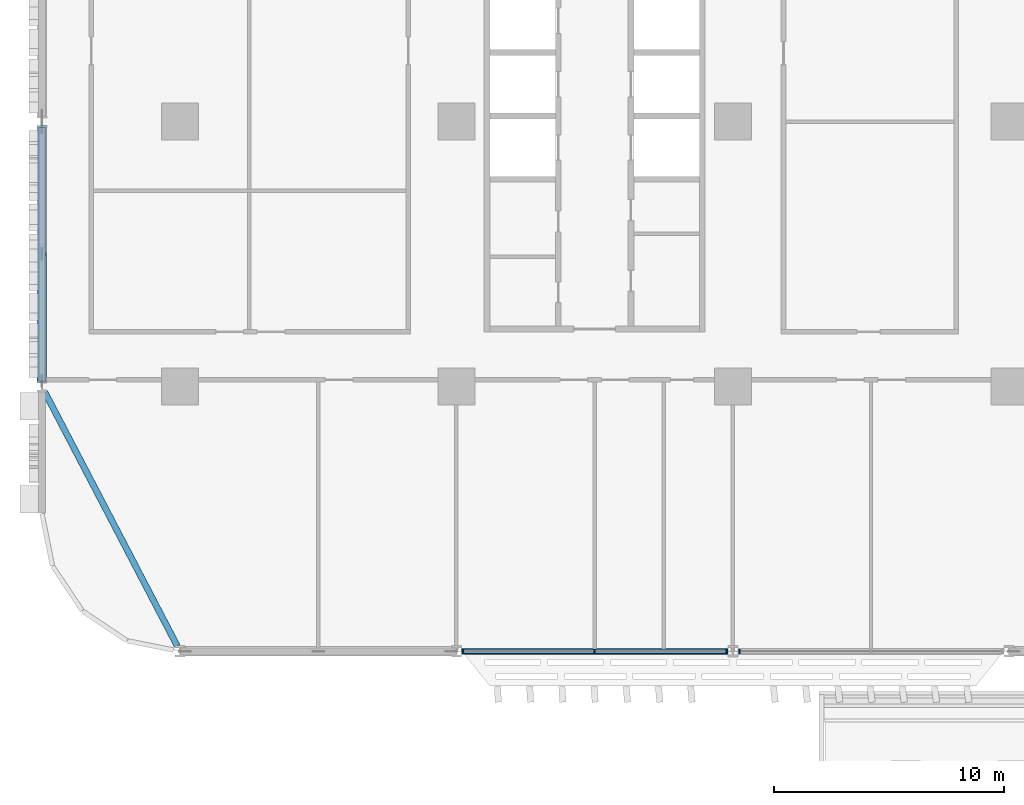
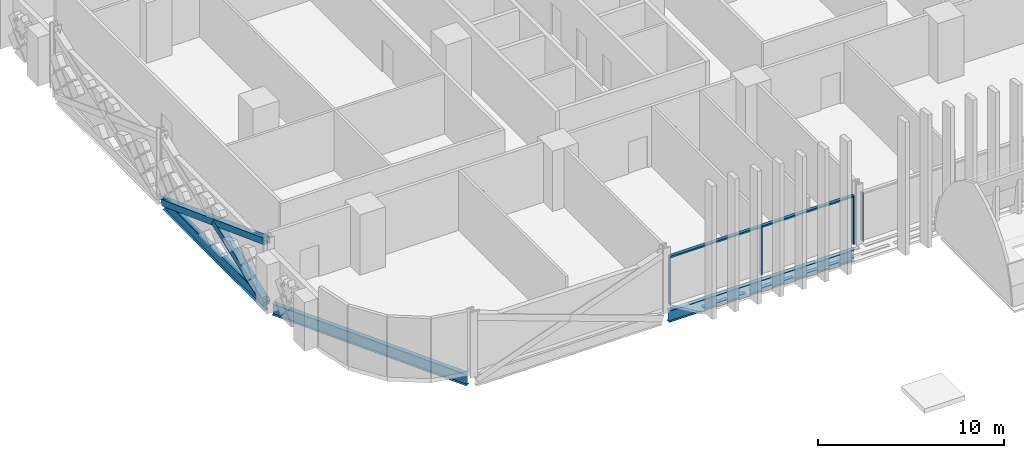
# One storey, part 2 of 31: 8 members, 3 beams, 2 elements without a shape of their own.
"""IFC4 building model written with IfcOpenShell, lengths in metres."""

from ifc_helpers import new_model, si_unit, direction, frame, origin, origin_2d, place, context, subcontext, project, spatial, rectangle, hollow_rectangle, i_section, extrude, material, material_profile, profile_set, type_object, element, aggregate, save


model = new_model("IFC4")

# Units and contexts
model_context = context("Model", 3, precision=1e-05, world=origin(), true_north=direction((0.0, 1.0)))
body_context = subcontext(model_context, "Body", "Model", "MODEL_VIEW")
ifc_project = project(units=[si_unit("LENGTHUNIT", "METRE"), si_unit("AREAUNIT", "SQUARE_METRE"), si_unit("VOLUMEUNIT", "CUBIC_METRE"), si_unit("PLANEANGLEUNIT", "RADIAN"), si_unit("MASSUNIT", "GRAM", prefix="KILO")], contexts=[model_context])

# Site, building, storey
site_placement = place(None, origin())
site = spatial("IfcSite", under=ifc_project, at=site_placement, CompositionType="ELEMENT")
building_placement = place(site_placement, origin())
building = spatial("IfcBuilding", under=site, at=building_placement, Name="Mahtab Terrace Research Tower", CompositionType="ELEMENT")
storey_placement = place(building_placement, frame((0.0, 0.0, 11.5)))
storey = spatial("IfcBuildingStorey", under=building, at=storey_placement, Name="L02", CompositionType="ELEMENT", Elevation=11.5)

# Members
ifc_material_1 = material(Name="Steel ASTM A500 Gr C", Category="steel")
ifc_material_profile_1 = material_profile(ifc_material_1, hollow_rectangle(XDim=0.406494140625, YDim=0.406494140625, WallThickness=0.01904296875, at=origin_2d()), Name="HSS16X16X3/4")
ifc_profile_set_1 = profile_set([ifc_material_profile_1], Name="Steel ASTM A500 Gr C")
member_type_1 = type_object("IfcMemberType", Name="HSS 16x16x3/4 brace XB161634", PredefinedType="BRACE", material=ifc_profile_set_1)
member_1_placement = place(storey_placement, frame((-48.0, -0.248779296875, -0.62548828125), z_axis=(0.0, -0.936661873217, 0.350234971499), x_axis=(1.0, 0.0, 0.0)))
element("IfcMember", 1, at=member_1_placement, inside=storey, type_object=member_type_1, Name="Exoskeleton brace L02 10 a", PredefinedType="BRACE", context=body_context, shape_type="SweptSolid", body=[
    extrude(hollow_rectangle(XDim=0.406494140625, YDim=0.406494140625, WallThickness=0.01904296875, at=origin_2d()), origin(), (0.0, 0.0, 1.0), 11.746337890625),
])
member_2_placement = place(storey_placement, frame((-48.0, -11.251220703125, -0.62548828125), z_axis=(0.0, 0.936655054788, 0.350253206038), x_axis=(-1.0, 0.0, 0.0)))
element("IfcMember", 2, at=member_2_placement, inside=storey, type_object=member_type_1, Name="Exoskeleton brace L02 10 b1", PredefinedType="BRACE", context=body_context, shape_type="SweptSolid", body=[
    extrude(hollow_rectangle(XDim=0.406494140625, YDim=0.406494140625, WallThickness=0.01904296875, at=origin_2d()), origin(), (0.0, 0.0, 1.0), 5.873291015625),
])

# Curtain wall, members
ifc_material_2 = material(Name="Laboratory ribbon curtain wall")
curtain_wall_type = type_object("IfcCurtainWallType", Name="Laboratory ribbon curtain wall", PredefinedType="NOTDEFINED", material=ifc_material_2)
curtain_wall_1_placement = place(storey_placement, origin())
curtain_wall_1 = element("IfcCurtainWall", 3, at=curtain_wall_1_placement, inside=storey, type_object=curtain_wall_type, Name="EN.L02.13.23", PredefinedType="NOTDEFINED")
ifc_material_3 = material(Name="Natural anodised aluminium", Category="aluminium")
ifc_material_profile_2 = material_profile(ifc_material_3, rectangle(XDim=0.199951171875, YDim=0.06494140625, at=origin_2d()), Name="MULLION 65x200")
ifc_profile_set_2 = profile_set([ifc_material_profile_2], Name="Natural anodised aluminium")
member_type_2 = type_object("IfcMemberType", Name="Laboratory ribbon curtain wall mullion", PredefinedType="MULLION", material=ifc_profile_set_2)
member_3_placement = place(storey_placement, frame((-29.718505859375, -23.0, 0.0), z_axis=(0.0, 0.0, 1.0), x_axis=(0.0, 1.0, 0.0)))
member_3 = element("IfcMember", 4, at=member_3_placement, type_object=member_type_2, Name="CWL-1 mullion 1", PredefinedType="MULLION", context=body_context, shape_type="SweptSolid", body=[
    extrude(rectangle(XDim=0.199951171875, YDim=0.06494140625, at=origin_2d()), origin(), (0.0, 0.0, 1.0), 3.203125),
])
member_4_placement = place(storey_placement, frame((-24.0, -23.0, 0.0), z_axis=(0.0, 0.0, 1.0), x_axis=(0.0, 1.0, 0.0)))
member_4 = element("IfcMember", 5, at=member_4_placement, type_object=member_type_2, Name="CWL-1 mullion 2", PredefinedType="MULLION", context=body_context, shape_type="SweptSolid", body=[
    extrude(rectangle(XDim=0.199951171875, YDim=0.06494140625, at=origin_2d()), origin(), (0.0, 0.0, 1.0), 3.203125),
])
member_5_placement = place(storey_placement, frame((-18.281494140625, -23.0, 0.0), z_axis=(0.0, 0.0, 1.0), x_axis=(0.0, 1.0, 0.0)))
member_5 = element("IfcMember", 6, at=member_5_placement, type_object=member_type_2, Name="CWL-1 mullion 3", PredefinedType="MULLION", context=body_context, shape_type="SweptSolid", body=[
    extrude(rectangle(XDim=0.199951171875, YDim=0.06494140625, at=origin_2d()), origin(), (0.0, 0.0, 1.0), 3.203125),
])

# Curtain wall, member
curtain_wall_2_placement = place(storey_placement, origin())
curtain_wall_2 = element("IfcCurtainWall", 7, at=curtain_wall_2_placement, inside=storey, type_object=curtain_wall_type, Name="EN.L02.13.24", PredefinedType="NOTDEFINED")
member_6_placement = place(storey_placement, frame((-17.718505859375, -23.0, 0.0), z_axis=(0.0, 0.0, 1.0), x_axis=(0.0, 1.0, 0.0)))
member_6 = element("IfcMember", 8, at=member_6_placement, type_object=member_type_2, Name="CWL-1 mullion 1", PredefinedType="MULLION", context=body_context, shape_type="SweptSolid", body=[
    extrude(rectangle(XDim=0.199951171875, YDim=0.06494140625, at=origin_2d()), origin(), (0.0, 0.0, 1.0), 3.203125),
])
aggregate(curtain_wall_2, [member_6])

# Member
ifc_material_profile_3 = material_profile(ifc_material_3, rectangle(XDim=0.199951171875, YDim=0.10009765625, at=origin_2d()), Name="TRANSOM 100x200")
ifc_profile_set_3 = profile_set([ifc_material_profile_3], Name="Natural anodised aluminium")
member_type_3 = type_object("IfcMemberType", Name="Laboratory ribbon curtain wall transom", PredefinedType="USERDEFINED", material=ifc_profile_set_3)
member_7_placement = place(storey_placement, frame((-29.68603515625, -23.0, 3.153076171875), z_axis=(1.0, 0.0, 0.0), x_axis=(0.0, 1.0, 0.0)))
member_7 = element("IfcMember", 9, at=member_7_placement, type_object=member_type_3, Name="CWL-1 transom 1", ObjectType="TRANSOM", PredefinedType="USERDEFINED", context=body_context, shape_type="SweptSolid", body=[
    extrude(rectangle(XDim=0.199951171875, YDim=0.10009765625, at=origin_2d()), origin(), (0.0, 0.0, 1.0), 5.653564453125),
])

member_8_placement = place(storey_placement, frame((-23.967529296875, -23.0, 3.153076171875), z_axis=(1.0, 0.0, 0.0), x_axis=(0.0, 1.0, 0.0)))
member_8 = element("IfcMember", 10, at=member_8_placement, type_object=member_type_3, Name="CWL-1 transom 2", ObjectType="TRANSOM", PredefinedType="USERDEFINED", context=body_context, shape_type="SweptSolid", body=[
    extrude(rectangle(XDim=0.199951171875, YDim=0.10009765625, at=origin_2d()), origin(), (0.0, 0.0, 1.0), 5.653564453125),
])

aggregate(curtain_wall_1, [member_3, member_4, member_5, member_7, member_8])

# Beams
ifc_material_4 = material(Name="Steel ASTM A992 Gr 50", Category="steel")
ifc_material_profile_4 = material_profile(ifc_material_4, i_section(OverallWidth=0.2666015625, OverallDepth=0.7568359375, WebThickness=0.013916015625, FlangeThickness=0.019287109375, at=origin_2d()), Name="W30X108")
ifc_profile_set_4 = profile_set([ifc_material_profile_4], Name="Steel ASTM A992 Gr 50")
beam_type = type_object("IfcBeamType", Name="W30x108 beam BS30108", PredefinedType="BEAM", material=ifc_profile_set_4)
beam_1_placement = place(storey_placement, frame((-48.0, -0.248779296875, -0.718505859375), z_axis=(0.0, -1.0, 0.0), x_axis=(1.0, 0.0, 0.0)))
element("IfcBeam", 11, at=beam_1_placement, inside=storey, type_object=beam_type, Name="Spandrel beam L02 10", PredefinedType="BEAM", context=body_context, shape_type="SweptSolid", body=[
    extrude(i_section(OverallWidth=0.2666015625, OverallDepth=0.7568359375, WebThickness=0.013916015625, FlangeThickness=0.019287109375, at=origin_2d()), origin(), (0.0, 0.0, 1.0), 11.00244140625),
])
beam_2_placement = place(storey_placement, frame((-47.8701171875, -11.748779296875, -0.718505859375), z_axis=(0.462555249274, -0.88659045865, 0.0), x_axis=(0.88659045865, 0.462555249274, 0.0)))
element("IfcBeam", 12, at=beam_2_placement, inside=storey, type_object=beam_type, Name="Spandrel beam L02 11", PredefinedType="BEAM", context=body_context, shape_type="SweptSolid", body=[
    extrude(i_section(OverallWidth=0.2666015625, OverallDepth=0.7568359375, WebThickness=0.013916015625, FlangeThickness=0.019287109375, at=origin_2d()), origin(), (0.0, 0.0, 1.0), 12.409912109375),
])
beam_3_placement = place(storey_placement, frame((-29.7841796875, -23.0, -0.718505859375), z_axis=(1.0, 0.0, 0.0), x_axis=(0.0, 1.0, 0.0)))
element("IfcBeam", 13, at=beam_3_placement, inside=storey, type_object=beam_type, Name="Spandrel beam L02 13", PredefinedType="BEAM", context=body_context, shape_type="SweptSolid", body=[
    extrude(i_section(OverallWidth=0.2666015625, OverallDepth=0.7568359375, WebThickness=0.013916015625, FlangeThickness=0.019287109375, at=origin_2d()), origin(), (0.0, 0.0, 1.0), 11.568359375),
])

save(model, "model.ifc")
